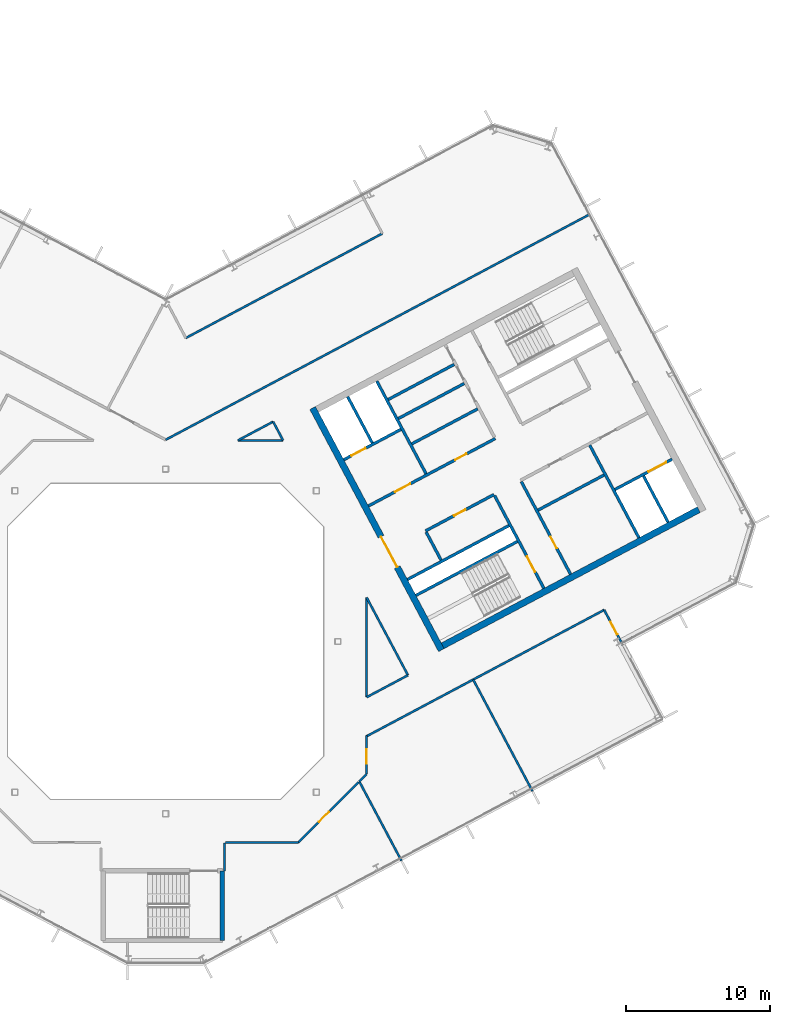
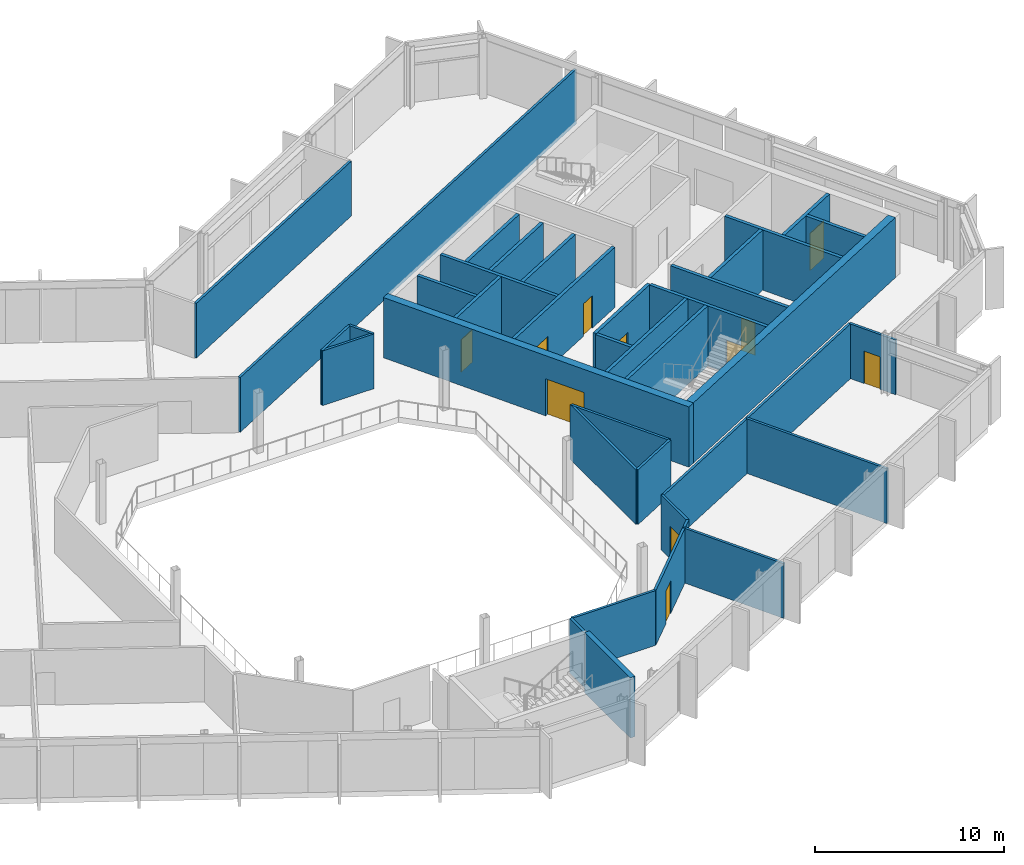
# One storey, part 16 of 26: 37 walls, 11 doors, 11 openings.
"""IFC4 building model written with IfcOpenShell, lengths in metres."""

from ifc_helpers import new_model, si_unit, direction, frame, frame_2d, origin, place, context, subcontext, project, spatial, rectangle, extrude, material, layer, layer_set, type_object, element, fill, save


model = new_model("IFC4")

# Units and contexts
model_context = context("Model", 3, precision=1e-05, world=origin(), true_north=direction((0.0, 1.0)))
body_context = subcontext(model_context, "Body", "Model", "MODEL_VIEW")
ifc_project = project(units=[si_unit("LENGTHUNIT", "METRE"), si_unit("AREAUNIT", "SQUARE_METRE"), si_unit("VOLUMEUNIT", "CUBIC_METRE"), si_unit("PLANEANGLEUNIT", "RADIAN"), si_unit("MASSUNIT", "GRAM", prefix="KILO")], contexts=[model_context])

# Site, building, storey
site_placement = place(None, origin())
site = spatial("IfcSite", under=ifc_project, at=site_placement, CompositionType="ELEMENT")
building_placement = place(site_placement, origin())
building = spatial("IfcBuilding", under=site, at=building_placement, Name="Cormorant Relay Tower", CompositionType="ELEMENT")
storey_placement = place(building_placement, frame((0.0, 0.0, 261.89990234375)))
storey = spatial("IfcBuildingStorey", under=building, at=storey_placement, Name="L58", CompositionType="ELEMENT", Elevation=261.89990234375)

# Walls
ifc_material_1 = material(Name="Concrete 40 MPa", Category="concrete")
ifc_layer_1 = layer(ifc_material_1, 0.199951171875)
ifc_layer_set_1 = layer_set([ifc_layer_1], Name="Core internal wall 200")
wall_type_1 = type_object("IfcWallType", Name="Core internal wall 200", PredefinedType="SOLIDWALL", material=ifc_layer_set_1)
for number, where, z_axis, x_axis, name in (
    (1, (16.2080078125, 15.526611328125, 0.0), (0.0, 0.0, 1.0), (0.882953967957, 0.469459572775, 0.0), "L58 core B shaft and room wall"),
    (2, (15.503662109375, 16.85107421875, 0.0), (0.0, 0.0, 1.0), (0.882953967957, 0.469459572775, 0.0), "L58 core B shaft and room wall"),
):
    element("IfcWall", number, at=place(storey_placement, frame(where, z_axis=z_axis, x_axis=x_axis)), inside=storey, type_object=wall_type_1, Name=name, PredefinedType="SOLIDWALL", context=body_context, shape_type="SweptSolid", body=[
        extrude(rectangle(XDim=5.199951171875, YDim=0.199951171875, at=frame_2d((2.60009765625, 0.0))), origin(), (0.0, 0.0, 1.0), 3.900146484375),
    ])
ifc_material_2 = material(Name="Concrete 50 MPa", Category="concrete")
ifc_layer_2 = layer(ifc_material_2, 0.199951171875)
ifc_layer_set_2 = layer_set([ifc_layer_2], Name="Core shaft wall 200")
wall_type_2 = type_object("IfcWallType", Name="Core shaft wall 200", PredefinedType="SHEAR", material=ifc_layer_set_2)
wall_1_placement = place(storey_placement, frame((14.39404296875, 13.825927734375, 0.0), z_axis=(0.0, 0.0, 1.0), x_axis=(-0.469494272526, 0.882935517501, 0.0)))
element("IfcWall", 3, at=wall_1_placement, inside=storey, type_object=wall_type_2, Name="L58 core B shaft wall", PredefinedType="SHEAR", context=body_context, shape_type="SweptSolid", body=[
    extrude(rectangle(XDim=3.64990234375, YDim=0.199951171875, at=frame_2d((1.824951171875, 0.0))), origin(), (0.0, 0.0, 1.0), 3.900146484375),
])
wall_2_placement = place(storey_placement, frame((19.18359375, 5.669921875, 0.0), z_axis=(0.0, 0.0, 1.0), x_axis=(-0.4694473164, 0.882960484464, 0.0)))
element("IfcWall", 4, at=wall_2_placement, inside=storey, type_object=wall_type_2, Name="L58 core B shaft wall", PredefinedType="SHEAR", context=body_context, shape_type="SweptSolid", body=[
    extrude(rectangle(XDim=2.199951171875, YDim=0.199951171875, at=frame_2d((1.10009765625, 0.0))), origin(), (0.0, 0.0, 1.0), 3.900146484375),
])
wall_3_placement = place(storey_placement, frame((18.138427734375, 11.682861328125, 0.0), z_axis=(0.0, 0.0, 1.0), x_axis=(-0.469480409012, 0.88294288918, 0.0)))
element("IfcWall", 5, at=wall_3_placement, inside=storey, type_object=wall_type_2, Name="L58 core B shaft wall", PredefinedType="SHEAR", context=body_context, shape_type="SweptSolid", body=[
    extrude(rectangle(XDim=7.300048828125, YDim=0.199951171875, at=frame_2d((3.64990234375, 0.0))), origin(), (0.0, 0.0, 1.0), 3.900146484375),
])

# Wall, opening, door
wall_4_placement = place(storey_placement, frame((26.345947265625, 3.701904296875, 0.0), z_axis=(0.0, 0.0, 1.0), x_axis=(-0.469480409012, 0.88294288918, 0.0)))
wall_4 = element("IfcWall", 6, at=wall_4_placement, inside=storey, type_object=wall_type_2, Name="L58 core B shaft wall", PredefinedType="SHEAR", context=body_context, shape_type="SweptSolid", body=[
    extrude(rectangle(XDim=7.300048828125, YDim=0.199951171875, at=frame_2d((3.64990234375, 0.0))), origin(), (0.0, 0.0, 1.0), 3.900146484375),
])
opening_1_placement = place(wall_4_placement, frame((1.300048828125, 0.0, 0.0)))
opening_1 = element("IfcOpeningElement", 7, at=opening_1_placement, cuts=wall_4, Name="Opening CDB-040", PredefinedType="OPENING", context=body_context, shape_type="SweptSolid", body=[
    extrude(rectangle(XDim=1.199951171875, YDim=2.10009765625, at=frame_2d((0.60009765625, 1.050048828125))), frame((0.0, 0.10986328125, 0.0), z_axis=(0.0, -1.0, 0.0), x_axis=(1.0, 0.0, 0.0)), (0.0, 0.0, 1.0), 0.219970703125),
])
ifc_material_3 = material(Name="Steel fire door", Category="steel")
door_type_1 = type_object("IfcDoorType", Name="Core stair door 1200x2100", OperationType="SINGLE_SWING_LEFT", PredefinedType="DOOR", material=ifc_material_3)
door_1_placement = place(opening_1_placement, origin())
door_1 = element("IfcDoor", 8, at=door_1_placement, inside=storey, type_object=door_type_1, Name="Core stair door 1200x2100", OperationType="SINGLE_SWING_RIGHT", OverallHeight=2.10009765625, OverallWidth=1.199951171875, PredefinedType="DOOR", context=body_context, shape_type="SweptSolid", body=[
    extrude(rectangle(XDim=1.199951171875, YDim=2.10009765625, at=frame_2d((0.60009765625, 1.050048828125))), frame((0.0, 0.02490234375, 0.0), z_axis=(0.0, -1.0, 0.0), x_axis=(1.0, 0.0, 0.0)), (0.0, 0.0, 1.0), 0.050048828125),
])
fill(opening_1, door_1)

wall_5_placement = place(storey_placement, frame((28.199951171875, 4.687744140625, 0.0), z_axis=(0.0, 0.0, 1.0), x_axis=(-0.469454336211, 0.882956752176, 0.0)))
wall_5 = element("IfcWall", 9, at=wall_5_placement, inside=storey, type_object=wall_type_2, Name="L58 core B shaft wall", PredefinedType="SHEAR", context=body_context, shape_type="SweptSolid", body=[
    extrude(rectangle(XDim=7.300048828125, YDim=0.199951171875, at=frame_2d((3.64990234375, 0.0))), origin(), (0.0, 0.0, 1.0), 3.900146484375),
])
opening_2_placement = place(wall_5_placement, frame((2.050048828125, 0.0, 0.0)))
opening_2 = element("IfcOpeningElement", 10, at=opening_2_placement, cuts=wall_5, Name="Opening CDD-317", PredefinedType="OPENING", context=body_context, shape_type="SweptSolid", body=[
    extrude(rectangle(XDim=0.89990234375, YDim=2.10009765625, at=frame_2d((0.449951171875, 1.050048828125))), frame((0.0, 0.10986328125, 0.0), z_axis=(0.0, -1.0, 0.0), x_axis=(1.0, 0.0, 0.0)), (0.0, 0.0, 1.0), 0.219970703125),
])
ifc_material_4 = material(Name="Steel fire door", Category="steel")
door_type_2 = type_object("IfcDoorType", Name="Core room door 900x2100", OperationType="SINGLE_SWING_LEFT", PredefinedType="DOOR", material=ifc_material_4)
door_2_placement = place(opening_2_placement, frame((0.89990234375, 0.0, 0.0), z_axis=(0.0, 0.0, 1.0), x_axis=(-1.0, 0.0, 0.0)))
door_2 = element("IfcDoor", 11, at=door_2_placement, inside=storey, type_object=door_type_2, Name="Core room door 900x2100", OperationType="SINGLE_SWING_LEFT", OverallHeight=2.10009765625, OverallWidth=0.89990234375, PredefinedType="DOOR", context=body_context, shape_type="SweptSolid", body=[
    extrude(rectangle(XDim=0.89990234375, YDim=2.10009765625, at=frame_2d((0.449951171875, 1.050048828125))), frame((0.0, 0.02490234375, 0.0), z_axis=(0.0, -1.0, 0.0), x_axis=(1.0, 0.0, 0.0)), (0.0, 0.0, 1.0), 0.050048828125),
])
fill(opening_2, door_2)

# Walls
wall_6_placement = place(storey_placement, frame((32.968017578125, 7.222900390625, 0.0), z_axis=(0.0, 0.0, 1.0), x_axis=(-0.469480409012, 0.88294288918, 0.0)))
element("IfcWall", 12, at=wall_6_placement, inside=storey, type_object=wall_type_2, Name="L58 core B shaft wall", PredefinedType="SHEAR", context=body_context, shape_type="SweptSolid", body=[
    extrude(rectangle(XDim=7.300048828125, YDim=0.199951171875, at=frame_2d((3.64990234375, 0.0))), origin(), (0.0, 0.0, 1.0), 3.900146484375),
])
wall_7_placement = place(storey_placement, frame((34.998779296875, 8.302734375, 0.0), z_axis=(0.0, 0.0, 1.0), x_axis=(-0.4694665462, 0.882950260207, 0.0)))
element("IfcWall", 13, at=wall_7_placement, inside=storey, type_object=wall_type_2, Name="L58 core B shaft wall", PredefinedType="SHEAR", context=body_context, shape_type="SweptSolid", body=[
    extrude(rectangle(XDim=3.650146484375, YDim=0.199951171875, at=frame_2d((1.8251953125, 0.0))), origin(), (0.0, 0.0, 1.0), 3.900146484375),
])
wall_8_placement = place(storey_placement, frame((17.43359375, 3.210205078125, 0.0), z_axis=(0.0, 0.0, 1.0), x_axis=(0.882940221191, 0.469485426614, 0.0)))
element("IfcWall", 14, at=wall_8_placement, inside=storey, type_object=wall_type_2, Name="L58 core B shaft wall", PredefinedType="SHEAR", context=body_context, shape_type="SweptSolid", body=[
    extrude(rectangle(XDim=8.0, YDim=0.199951171875, at=frame_2d((4.0, 0.0))), origin(), (0.0, 0.0, 1.0), 3.900146484375),
])

# Wall, opening, door
wall_9_placement = place(storey_placement, frame((31.295654296875, 10.5810546875, 0.0), z_axis=(0.0, 0.0, 1.0), x_axis=(0.882960433586, 0.469447412093, 0.0)))
wall_9 = element("IfcWall", 15, at=wall_9_placement, inside=storey, type_object=wall_type_2, Name="L58 core B shaft wall", PredefinedType="SHEAR", context=body_context, shape_type="SweptSolid", body=[
    extrude(rectangle(XDim=4.5, YDim=0.199951171875, at=frame_2d((2.25, 0.0))), origin(), (0.0, 0.0, 1.0), 3.900146484375),
])
opening_3_placement = place(wall_9_placement, frame((2.64990234375, 0.0, 0.0)))
opening_3 = element("IfcOpeningElement", 16, at=opening_3_placement, cuts=wall_9, Name="Opening LD3-016", PredefinedType="OPENING", context=body_context, shape_type="SweptSolid", body=[
    extrude(rectangle(XDim=1.39990234375, YDim=2.39990234375, at=frame_2d((0.699951171875, 1.199951171875))), frame((0.0, 0.10986328125, 0.0), z_axis=(0.0, -1.0, 0.0), x_axis=(1.0, 0.0, 0.0)), (0.0, 0.0, 1.0), 0.219970703125),
])
ifc_material_5 = material(Name="Stainless steel 316", Category="steel")
door_type_3 = type_object("IfcDoorType", Name="Lift landing door 1400x2400", OperationType="DOUBLE_DOOR_SLIDING", PredefinedType="DOOR", material=ifc_material_5)
door_3_placement = place(opening_3_placement, origin())
door_3 = element("IfcDoor", 17, at=door_3_placement, inside=storey, type_object=door_type_3, Name="SV2 landing door", OperationType="DOUBLE_DOOR_SLIDING", OverallHeight=2.39990234375, OverallWidth=1.39990234375, PredefinedType="DOOR", context=body_context, shape_type="SweptSolid", body=[
    extrude(rectangle(XDim=1.39990234375, YDim=2.39990234375, at=frame_2d((0.699951171875, 1.199951171875))), frame((0.0, 0.02490234375, 0.0), z_axis=(0.0, -1.0, 0.0), x_axis=(1.0, 0.0, 0.0)), (0.0, 0.0, 1.0), 0.050048828125),
])
fill(opening_3, door_3)

# Walls
wall_10_placement = place(storey_placement, frame((16.8466796875, 4.31396484375, 0.0), z_axis=(0.0, 0.0, 1.0), x_axis=(0.882940221191, 0.469485426614, 0.0)))
element("IfcWall", 18, at=wall_10_placement, inside=storey, type_object=wall_type_2, Name="L58 core B shaft wall", PredefinedType="SHEAR", context=body_context, shape_type="SweptSolid", body=[
    extrude(rectangle(XDim=8.0, YDim=0.199951171875, at=frame_2d((4.0, 0.0))), origin(), (0.0, 0.0, 1.0), 3.900146484375),
])
wall_11_placement = place(storey_placement, frame((25.94091796875, 9.149658203125, 0.0), z_axis=(0.0, 0.0, 1.0), x_axis=(0.882953967957, 0.469459572775, 0.0)))
element("IfcWall", 19, at=wall_11_placement, inside=storey, type_object=wall_type_2, Name="L58 core B shaft wall", PredefinedType="SHEAR", context=body_context, shape_type="SweptSolid", body=[
    extrude(rectangle(XDim=5.199951171875, YDim=0.199951171875, at=frame_2d((2.60009765625, 0.0))), origin(), (0.0, 0.0, 1.0), 3.900146484375),
])

# Wall, opening, door
wall_12_placement = place(storey_placement, frame((18.103759765625, 7.70068359375, 0.0), z_axis=(0.0, 0.0, 1.0), x_axis=(0.882952937579, 0.469461510692, 0.0)))
wall_12 = element("IfcWall", 20, at=wall_12_placement, inside=storey, type_object=wall_type_2, Name="L58 core B shaft wall", PredefinedType="SHEAR", context=body_context, shape_type="SweptSolid", body=[
    extrude(rectangle(XDim=5.400146484375, YDim=0.199951171875, at=frame_2d((2.7001953125, 0.0))), origin(), (0.0, 0.0, 1.0), 3.900146484375),
])
opening_4_placement = place(wall_12_placement, frame((2.25, 0.0, 0.0)))
opening_4 = element("IfcOpeningElement", 21, at=opening_4_placement, cuts=wall_12, Name="Opening CDD-262", PredefinedType="OPENING", context=body_context, shape_type="SweptSolid", body=[
    extrude(rectangle(XDim=0.89990234375, YDim=2.10009765625, at=frame_2d((0.449951171875, 1.050048828125))), frame((0.0, 0.10986328125, 0.0), z_axis=(0.0, -1.0, 0.0), x_axis=(1.0, 0.0, 0.0)), (0.0, 0.0, 1.0), 0.219970703125),
])
door_4_placement = place(opening_4_placement, frame((0.89990234375, 0.0, 0.0), z_axis=(0.0, 0.0, 1.0), x_axis=(-1.0, 0.0, 0.0)))
door_4 = element("IfcDoor", 22, at=door_4_placement, inside=storey, type_object=door_type_2, Name="Core room door 900x2100", OperationType="SINGLE_SWING_RIGHT", OverallHeight=2.10009765625, OverallWidth=0.89990234375, PredefinedType="DOOR", context=body_context, shape_type="SweptSolid", body=[
    extrude(rectangle(XDim=0.89990234375, YDim=2.10009765625, at=frame_2d((0.449951171875, 1.050048828125))), frame((0.0, 0.02490234375, 0.0), z_axis=(0.0, -1.0, 0.0), x_axis=(1.0, 0.0, 0.0)), (0.0, 0.0, 1.0), 0.050048828125),
])
fill(opening_4, door_4)

# Wall, openings, doors
wall_13_placement = place(storey_placement, frame((14.123779296875, 9.43505859375, 0.0), z_axis=(0.0, 0.0, 1.0), x_axis=(0.882940221191, 0.469485426614, 0.0)))
wall_13 = element("IfcWall", 23, at=wall_13_placement, inside=storey, type_object=wall_type_2, Name="L58 core B shaft wall", PredefinedType="SHEAR", context=body_context, shape_type="SweptSolid", body=[
    extrude(rectangle(XDim=10.0, YDim=0.199951171875, at=frame_2d((5.0, 0.0))), origin(), (0.0, 0.0, 1.0), 3.900146484375),
])
opening_5_placement = place(wall_13_placement, frame((2.10009765625, 0.0, 0.0)))
opening_5 = element("IfcOpeningElement", 24, at=opening_5_placement, cuts=wall_13, Name="Opening CDC-037", PredefinedType="OPENING", context=body_context, shape_type="SweptSolid", body=[
    extrude(rectangle(XDim=1.199951171875, YDim=2.10009765625, at=frame_2d((0.60009765625, 1.050048828125))), frame((0.0, 0.10986328125, 0.0), z_axis=(0.0, -1.0, 0.0), x_axis=(1.0, 0.0, 0.0)), (0.0, 0.0, 1.0), 0.219970703125),
])
opening_6_placement = place(wall_13_placement, frame((6.85009765625, 0.0, 0.0)))
opening_6 = element("IfcOpeningElement", 25, at=opening_6_placement, cuts=wall_13, Name="Opening CDD-260", PredefinedType="OPENING", context=body_context, shape_type="SweptSolid", body=[
    extrude(rectangle(XDim=0.89990234375, YDim=2.10009765625, at=frame_2d((0.449951171875, 1.050048828125))), frame((0.0, 0.10986328125, 0.0), z_axis=(0.0, -1.0, 0.0), x_axis=(1.0, 0.0, 0.0)), (0.0, 0.0, 1.0), 0.219970703125),
])
ifc_material_6 = material(Name="Steel fire door", Category="steel")
door_type_4 = type_object("IfcDoorType", Name="Core lobby door 1200x2100", OperationType="SINGLE_SWING_LEFT", PredefinedType="DOOR", material=ifc_material_6)
door_5_placement = place(opening_5_placement, origin())
door_5 = element("IfcDoor", 26, at=door_5_placement, inside=storey, type_object=door_type_4, Name="Core lobby door 1200x2100", OperationType="SINGLE_SWING_RIGHT", OverallHeight=2.10009765625, OverallWidth=1.199951171875, PredefinedType="DOOR", context=body_context, shape_type="SweptSolid", body=[
    extrude(rectangle(XDim=1.199951171875, YDim=2.10009765625, at=frame_2d((0.60009765625, 1.050048828125))), frame((0.0, 0.02490234375, 0.0), z_axis=(0.0, -1.0, 0.0), x_axis=(1.0, 0.0, 0.0)), (0.0, 0.0, 1.0), 0.050048828125),
])
fill(opening_5, door_5)
door_6_placement = place(opening_6_placement, origin())
door_6 = element("IfcDoor", 27, at=door_6_placement, inside=storey, type_object=door_type_2, Name="Core room door 900x2100", OperationType="SINGLE_SWING_LEFT", OverallHeight=2.10009765625, OverallWidth=0.89990234375, PredefinedType="DOOR", context=body_context, shape_type="SweptSolid", body=[
    extrude(rectangle(XDim=0.89990234375, YDim=2.10009765625, at=frame_2d((0.449951171875, 1.050048828125))), frame((0.0, 0.02490234375, 0.0), z_axis=(0.0, -1.0, 0.0), x_axis=(1.0, 0.0, 0.0)), (0.0, 0.0, 1.0), 0.050048828125),
])
fill(opening_6, door_6)

# Wall
wall_14_placement = place(storey_placement, frame((17.146728515625, 13.7607421875, 0.0), z_axis=(0.0, 0.0, 1.0), x_axis=(0.882964314875, 0.469440111896, 0.0)))
element("IfcWall", 28, at=wall_14_placement, inside=storey, type_object=wall_type_2, Name="L58 core B shaft wall", PredefinedType="SHEAR", context=body_context, shape_type="SweptSolid", body=[
    extrude(rectangle(XDim=5.2001953125, YDim=0.199951171875, at=frame_2d((2.60009765625, 0.0))), origin(), (0.0, 0.0, 1.0), 3.900146484375),
])

# Wall, opening, door
wall_15_placement = place(storey_placement, frame((12.41015625, 12.657958984375, 0.0), z_axis=(0.0, 0.0, 1.0), x_axis=(0.8829484765, 0.469469900894, 0.0)))
wall_15 = element("IfcWall", 29, at=wall_15_placement, inside=storey, type_object=wall_type_2, Name="L58 core B shaft wall", PredefinedType="SHEAR", context=body_context, shape_type="SweptSolid", body=[
    extrude(rectangle(XDim=4.499755859375, YDim=0.199951171875, at=frame_2d((2.25, 0.0))), origin(), (0.0, 0.0, 1.0), 3.900146484375),
])
opening_7_placement = place(wall_15_placement, frame((0.60009765625, 0.0, 0.0)))
opening_7 = element("IfcOpeningElement", 30, at=opening_7_placement, cuts=wall_15, Name="Opening LD1-064", PredefinedType="OPENING", context=body_context, shape_type="SweptSolid", body=[
    extrude(rectangle(XDim=1.10009765625, YDim=2.10009765625, at=frame_2d((0.550048828125, 1.050048828125))), frame((0.0, 0.10986328125, 0.0), z_axis=(0.0, -1.0, 0.0), x_axis=(1.0, 0.0, 0.0)), (0.0, 0.0, 1.0), 0.219970703125),
])
ifc_material_7 = material(Name="Stainless steel 316", Category="steel")
door_type_5 = type_object("IfcDoorType", Name="Lift landing door 1100x2100", OperationType="DOUBLE_DOOR_SLIDING", PredefinedType="DOOR", material=ifc_material_7)
door_7_placement = place(opening_7_placement, origin())
door_7 = element("IfcDoor", 31, at=door_7_placement, inside=storey, type_object=door_type_5, Name="FF2 landing door", OperationType="DOUBLE_DOOR_SLIDING", OverallHeight=2.10009765625, OverallWidth=1.10009765625, PredefinedType="DOOR", context=body_context, shape_type="SweptSolid", body=[
    extrude(rectangle(XDim=1.10009765625, YDim=2.10009765625, at=frame_2d((0.550048828125, 1.050048828125))), frame((0.0, 0.02490234375, 0.0), z_axis=(0.0, -1.0, 0.0), x_axis=(1.0, 0.0, 0.0)), (0.0, 0.0, 1.0), 0.050048828125),
])
fill(opening_7, door_7)

ifc_material_8 = material(Name="Concrete 50 MPa", Category="concrete")
ifc_layer_3 = layer(ifc_material_8, 0.449951171875)
ifc_layer_set_3 = layer_set([ifc_layer_3], Name="Core wall 450")
wall_type_3 = type_object("IfcWallType", Name="Core wall 450", PredefinedType="SHEAR", material=ifc_layer_set_3)
wall_16_placement = place(storey_placement, frame((19.20654296875, -0.603759765625, 0.0), z_axis=(0.0, 0.0, 1.0), x_axis=(-0.469467968382, 0.882949504028, 0.0)))
wall_16 = element("IfcWall", 32, at=wall_16_placement, inside=storey, type_object=wall_type_3, Name="L58 core B wall", PredefinedType="SHEAR", context=body_context, shape_type="SweptSolid", body=[
    extrude(rectangle(XDim=19.099853515625, YDim=0.449951171875, at=frame_2d((9.5498046875, 0.0))), origin(), (0.0, 0.0, 1.0), 3.900146484375),
])
opening_8_placement = place(wall_16_placement, frame((6.550048828125, 0.0, 0.0)))
opening_8 = element("IfcOpeningElement", 33, at=opening_8_placement, cuts=wall_16, Name="Opening CDA-055", PredefinedType="OPENING", context=body_context, shape_type="SweptSolid", body=[
    extrude(rectangle(XDim=2.39990234375, YDim=2.39990234375, at=frame_2d((1.199951171875, 1.199951171875))), frame((0.0, 0.23486328125, 0.0), z_axis=(0.0, -1.0, 0.0), x_axis=(1.0, 0.0, 0.0)), (0.0, 0.0, 1.0), 0.469970703125),
])
ifc_material_9 = material(Name="Steel fire door", Category="steel")
door_type_6 = type_object("IfcDoorType", Name="Core lobby door 2400x2400", OperationType="DOUBLE_DOOR_SINGLE_SWING", PredefinedType="DOOR", material=ifc_material_9)
door_8_placement = place(opening_8_placement, origin())
door_8 = element("IfcDoor", 34, at=door_8_placement, inside=storey, type_object=door_type_6, Name="Core lobby door 2400x2400", OperationType="DOUBLE_DOOR_SINGLE_SWING", OverallHeight=2.39990234375, OverallWidth=2.39990234375, PredefinedType="DOOR", context=body_context, shape_type="SweptSolid", body=[
    extrude(rectangle(XDim=2.39990234375, YDim=2.39990234375, at=frame_2d((1.199951171875, 1.199951171875))), frame((0.0, 0.02490234375, 0.0), z_axis=(0.0, -1.0, 0.0), x_axis=(1.0, 0.0, 0.0)), (0.0, 0.0, 1.0), 0.050048828125),
])
fill(opening_8, door_8)

# Walls
wall_17_placement = place(storey_placement, frame((19.299560546875, -0.29931640625, 0.0), z_axis=(0.0, 0.0, 1.0), x_axis=(0.88295276571, 0.46946183394, 0.0)))
element("IfcWall", 35, at=wall_17_placement, inside=storey, type_object=wall_type_3, Name="L58 core B wall", PredefinedType="SHEAR", context=body_context, shape_type="SweptSolid", body=[
    extrude(rectangle(XDim=20.199951171875, YDim=0.449951171875, at=frame_2d((10.10009765625, 0.0))), origin(), (0.0, 0.0, 1.0), 3.900146484375),
])
ifc_material_10 = material(Name="Gypsum board fire partition")
ifc_layer_4 = layer(ifc_material_10, 0.14990234375)
ifc_layer_set_4 = layer_set([ifc_layer_4], Name="Corridor partition 150 EI 60")
wall_type_4 = type_object("IfcWallType", Name="Corridor partition 150 EI 60", PredefinedType="PARTITIONING", material=ifc_layer_set_4)
wall_18_placement = place(storey_placement, frame((0.0, 14.0439453125, 0.0), z_axis=(0.0, 0.0, 1.0), x_axis=(0.882952097871, 0.469463089992, 0.0)))
element("IfcWall", 36, at=wall_18_placement, inside=storey, type_object=wall_type_4, Name="wall/L58/part/009", PredefinedType="PARTITIONING", context=body_context, shape_type="SweptSolid", body=[
    extrude(rectangle(XDim=33.606689453125, YDim=0.14990234375, at=frame_2d((16.80322265625, 0.0))), origin(), (0.0, 0.0, 1.0), 3.5400390625),
])
wall_19_placement = place(storey_placement, frame((4.10009765625, -15.97509765625, 0.0), z_axis=(0.0, 0.0, 1.0), x_axis=(0.0, 1.0, 0.0)))
element("IfcWall", 37, at=wall_19_placement, inside=storey, type_object=wall_type_4, Name="wall/L58/part/032", PredefinedType="PARTITIONING", context=body_context, shape_type="SweptSolid", body=[
    extrude(rectangle(XDim=1.95703125, YDim=0.14990234375, at=frame_2d((0.978515625, 0.0))), origin(), (0.0, 0.0, 1.0), 3.5400390625),
])

# Wall, opening, door
wall_20_placement = place(storey_placement, frame((13.428955078125, -9.81396484375, 0.0), z_axis=(0.0, 0.0, 1.0), x_axis=(-0.707106781187, -0.707106781187, 0.0)))
wall_20 = element("IfcWall", 38, at=wall_20_placement, inside=storey, type_object=wall_type_4, Name="wall/L58/part/033", PredefinedType="PARTITIONING", context=body_context, shape_type="SweptSolid", body=[
    extrude(rectangle(XDim=5.919921875, YDim=0.14990234375, at=frame_2d((2.9599609375, 0.0))), origin(), (0.0, 0.0, 1.0), 3.5400390625),
])
opening_9_placement = place(wall_20_placement, frame((2.89990234375, 0.0, 0.0)))
opening_9 = element("IfcOpeningElement", 39, at=opening_9_placement, cuts=wall_20, Name="Opening DS-202", PredefinedType="OPENING", context=body_context, shape_type="SweptSolid", body=[
    extrude(rectangle(XDim=1.0, YDim=2.10009765625, at=frame_2d((0.5, 1.050048828125))), frame((0.0, 0.0849609375, 0.0), z_axis=(0.0, -1.0, 0.0), x_axis=(1.0, 0.0, 0.0)), (0.0, 0.0, 1.0), 0.169921875),
])
ifc_material_11 = material(Name="Timber door leaf", Category="wood")
door_type_7 = type_object("IfcDoorType", Name="Suite door 1000x2100", OperationType="SINGLE_SWING_LEFT", PredefinedType="DOOR", material=ifc_material_11)
door_9_placement = place(opening_9_placement, origin())
door_9 = element("IfcDoor", 40, at=door_9_placement, inside=storey, type_object=door_type_7, Name="door/L58/005", OperationType="SINGLE_SWING_LEFT", OverallHeight=2.10009765625, OverallWidth=1.0, PredefinedType="DOOR", context=body_context, shape_type="SweptSolid", body=[
    extrude(rectangle(XDim=1.0, YDim=2.10009765625, at=frame_2d((0.5, 1.050048828125))), frame((0.0, 0.02490234375, 0.0), z_axis=(0.0, -1.0, 0.0), x_axis=(1.0, 0.0, 0.0)), (0.0, 0.0, 1.0), 0.050048828125),
])
fill(opening_9, door_9)

# Wall
wall_21_placement = place(storey_placement, frame((9.242919921875, -14.0, 0.0), z_axis=(0.0, 0.0, 1.0), x_axis=(-1.0, 0.0, 0.0)))
element("IfcWall", 41, at=wall_21_placement, inside=storey, type_object=wall_type_4, Name="wall/L58/part/034", PredefinedType="PARTITIONING", context=body_context, shape_type="SweptSolid", body=[
    extrude(rectangle(XDim=5.06787109375, YDim=0.14990234375, at=frame_2d((2.533935546875, 0.0))), origin(), (0.0, 0.0, 1.0), 3.5400390625),
])

# Wall, opening, door
wall_22_placement = place(storey_placement, frame((14.0, -6.550048828125, 0.0), z_axis=(0.0, 0.0, 1.0), x_axis=(0.0, -1.0, 0.0)))
wall_22 = element("IfcWall", 42, at=wall_22_placement, inside=storey, type_object=wall_type_4, Name="wall/L58/part/036", PredefinedType="PARTITIONING", context=body_context, shape_type="SweptSolid", body=[
    extrude(rectangle(XDim=2.69287109375, YDim=0.14990234375, at=frame_2d((1.346435546875, 0.0))), origin(), (0.0, 0.0, 1.0), 3.5400390625),
])
opening_10_placement = place(wall_22_placement, frame((0.951904296875, 0.0, 0.0)))
opening_10 = element("IfcOpeningElement", 43, at=opening_10_placement, cuts=wall_22, Name="Opening DS-203", PredefinedType="OPENING", context=body_context, shape_type="SweptSolid", body=[
    extrude(rectangle(XDim=1.0, YDim=2.10009765625, at=frame_2d((0.5, 1.050048828125))), frame((0.0, 0.0849609375, 0.0), z_axis=(0.0, -1.0, 0.0), x_axis=(1.0, 0.0, 0.0)), (0.0, 0.0, 1.0), 0.169921875),
])
door_10_placement = place(opening_10_placement, origin())
door_10 = element("IfcDoor", 44, at=door_10_placement, inside=storey, type_object=door_type_7, Name="door/L58/006", OperationType="SINGLE_SWING_LEFT", OverallHeight=2.10009765625, OverallWidth=1.0, PredefinedType="DOOR", context=body_context, shape_type="SweptSolid", body=[
    extrude(rectangle(XDim=1.0, YDim=2.10009765625, at=frame_2d((0.5, 1.050048828125))), frame((0.0, 0.02490234375, 0.0), z_axis=(0.0, -1.0, 0.0), x_axis=(1.0, 0.0, 0.0)), (0.0, 0.0, 1.0), 0.050048828125),
])
fill(opening_10, door_10)

# Wall
wall_23_placement = place(storey_placement, frame((13.4951171875, -9.748046875, 0.0), z_axis=(0.0, 0.0, 1.0), x_axis=(0.706252478894, 0.707960052585, 0.0)))
element("IfcWall", 45, at=wall_23_placement, inside=storey, type_object=wall_type_4, Name="wall/L58/part/037", PredefinedType="PARTITIONING", context=body_context, shape_type="SweptSolid", body=[
    extrude(rectangle(XDim=0.71484375, YDim=0.14990234375, at=frame_2d((0.357421875, 0.0))), origin(), (0.0, 0.0, 1.0), 3.5400390625),
])

# Wall, opening, door
wall_24_placement = place(storey_placement, frame((31.89697265625, -0.346923828125, 0.0), z_axis=(0.0, 0.0, 1.0), x_axis=(-0.469576437406, 0.882891822045, 0.0)))
wall_24 = element("IfcWall", 46, at=wall_24_placement, inside=storey, type_object=wall_type_4, Name="wall/L58/part/039", PredefinedType="PARTITIONING", context=body_context, shape_type="SweptSolid", body=[
    extrude(rectangle(XDim=2.88134765625, YDim=0.14990234375, at=frame_2d((1.440673828125, 0.0))), origin(), (0.0, 0.0, 1.0), 3.5400390625),
])
opening_11_placement = place(wall_24_placement, frame((0.949951171875, 0.0, 0.0)))
opening_11 = element("IfcOpeningElement", 47, at=opening_11_placement, cuts=wall_24, Name="Opening DS-204", PredefinedType="OPENING", context=body_context, shape_type="SweptSolid", body=[
    extrude(rectangle(XDim=1.0, YDim=2.10009765625, at=frame_2d((0.5, 1.050048828125))), frame((0.0, 0.0849609375, 0.0), z_axis=(0.0, -1.0, 0.0), x_axis=(1.0, 0.0, 0.0)), (0.0, 0.0, 1.0), 0.169921875),
])
door_11_placement = place(opening_11_placement, origin())
door_11 = element("IfcDoor", 48, at=door_11_placement, inside=storey, type_object=door_type_7, Name="door/L58/007", OperationType="SINGLE_SWING_LEFT", OverallHeight=2.10009765625, OverallWidth=1.0, PredefinedType="DOOR", context=body_context, shape_type="SweptSolid", body=[
    extrude(rectangle(XDim=1.0, YDim=2.10009765625, at=frame_2d((0.5, 1.050048828125))), frame((0.0, 0.02490234375, 0.0), z_axis=(0.0, -1.0, 0.0), x_axis=(1.0, 0.0, 0.0)), (0.0, 0.0, 1.0), 0.050048828125),
])
fill(opening_11, door_11)

# Walls
wall_25_placement = place(storey_placement, frame((30.5439453125, 2.197021484375, 0.0), z_axis=(0.0, 0.0, 1.0), x_axis=(-0.88293548313, -0.469494337165, 0.0)))
element("IfcWall", 49, at=wall_25_placement, inside=storey, type_object=wall_type_4, Name="wall/L58/part/040", PredefinedType="PARTITIONING", context=body_context, shape_type="SweptSolid", body=[
    extrude(rectangle(XDim=18.737548828125, YDim=0.14990234375, at=frame_2d((9.36865234375, 0.0))), origin(), (0.0, 0.0, 1.0), 3.5400390625),
])
wall_26_placement = place(storey_placement, frame((7.489990234375, 15.30810546875, 0.0), z_axis=(0.0, 0.0, 1.0), x_axis=(-0.882929584463, -0.469505430086, 0.0)))
element("IfcWall", 50, at=wall_26_placement, inside=storey, type_object=wall_type_4, Name="wall/L58/part/050", PredefinedType="PARTITIONING", context=body_context, shape_type="SweptSolid", body=[
    extrude(rectangle(XDim=2.7861328125, YDim=0.14990234375, at=frame_2d((1.39306640625, 0.0))), origin(), (0.0, 0.0, 1.0), 3.5400390625),
])
wall_27_placement = place(storey_placement, frame((5.030029296875, 14.0, 0.0), z_axis=(0.0, 0.0, 1.0), x_axis=(1.0, 0.0, 0.0)))
element("IfcWall", 51, at=wall_27_placement, inside=storey, type_object=wall_type_4, Name="wall/L58/part/051", PredefinedType="PARTITIONING", context=body_context, shape_type="SweptSolid", body=[
    extrude(rectangle(XDim=3.156005859375, YDim=0.14990234375, at=frame_2d((1.578125, 0.0))), origin(), (0.0, 0.0, 1.0), 3.5400390625),
])
wall_28_placement = place(storey_placement, frame((8.18603515625, 14.0, 0.0), z_axis=(0.0, 0.0, 1.0), x_axis=(-0.469741395349, 0.882804067444, 0.0)))
element("IfcWall", 52, at=wall_28_placement, inside=storey, type_object=wall_type_4, Name="wall/L58/part/052", PredefinedType="PARTITIONING", context=body_context, shape_type="SweptSolid", body=[
    extrude(rectangle(XDim=1.481689453125, YDim=0.14990234375, at=frame_2d((0.74072265625, 0.0))), origin(), (0.0, 0.0, 1.0), 3.5400390625),
])
wall_29_placement = place(storey_placement, frame((14.0, -3.882080078125, 0.0), z_axis=(0.0, 0.0, 1.0), x_axis=(0.882913997068, 0.469534741826, 0.0)))
element("IfcWall", 53, at=wall_29_placement, inside=storey, type_object=wall_type_4, Name="wall/L58/part/053", PredefinedType="PARTITIONING", context=body_context, shape_type="SweptSolid", body=[
    extrude(rectangle(XDim=3.2607421875, YDim=0.14990234375, at=frame_2d((1.63037109375, 0.0))), origin(), (0.0, 0.0, 1.0), 3.5400390625),
])
wall_30_placement = place(storey_placement, frame((16.87890625, -2.35107421875, 0.0), z_axis=(0.0, 0.0, 1.0), x_axis=(-0.469364750374, 0.883004377739, 0.0)))
element("IfcWall", 54, at=wall_30_placement, inside=storey, type_object=wall_type_4, Name="wall/L58/part/054", PredefinedType="PARTITIONING", context=body_context, shape_type="SweptSolid", body=[
    extrude(rectangle(XDim=6.133544921875, YDim=0.14990234375, at=frame_2d((3.06689453125, 0.0))), origin(), (0.0, 0.0, 1.0), 3.5400390625),
])
wall_31_placement = place(storey_placement, frame((14.0, 3.06494140625, 0.0), z_axis=(0.0, 0.0, 1.0), x_axis=(0.0, -1.0, 0.0)))
element("IfcWall", 55, at=wall_31_placement, inside=storey, type_object=wall_type_4, Name="wall/L58/part/055", PredefinedType="PARTITIONING", context=body_context, shape_type="SweptSolid", body=[
    extrude(rectangle(XDim=6.947021484375, YDim=0.14990234375, at=frame_2d((3.4736328125, 0.0))), origin(), (0.0, 0.0, 1.0), 3.5400390625),
])
ifc_material_12 = material(Name="Concrete 50 MPa", Category="concrete")
ifc_layer_5 = layer(ifc_material_12, 0.300048828125)
ifc_layer_set_5 = layer_set([ifc_layer_5], Name="Remote stair wall 300")
wall_type_5 = type_object("IfcWallType", Name="Remote stair wall 300", PredefinedType="SHEAR", material=ifc_layer_set_5)
wall_32_placement = place(storey_placement, frame((3.949951171875, -15.97509765625, 0.0), z_axis=(0.0, 0.0, 1.0), x_axis=(0.0, -1.0, 0.0)))
element("IfcWall", 56, at=wall_32_placement, inside=storey, type_object=wall_type_5, Name="L58 exit stair RK1 wall", PredefinedType="SHEAR", context=body_context, shape_type="SweptSolid", body=[
    extrude(rectangle(XDim=4.849853515625, YDim=0.300048828125, at=frame_2d((2.4248046875, 0.0))), origin(), (0.0, 0.0, 1.0), 3.900146484375),
])
ifc_material_13 = material(Name="Gypsum board partition")
ifc_layer_6 = layer(ifc_material_13, 0.14990234375)
ifc_layer_set_6 = layer_set([ifc_layer_6], Name="Tenant partition 150")
wall_type_6 = type_object("IfcWallType", Name="Tenant partition 150", PredefinedType="PARTITIONING", material=ifc_layer_set_6)
wall_33_placement = place(storey_placement, frame((1.408935546875, 21.135986328125, 0.0), z_axis=(0.0, 0.0, 1.0), x_axis=(0.882956998251, 0.469453873388, 0.0)))
element("IfcWall", 57, at=wall_33_placement, inside=storey, type_object=wall_type_6, Name="wall/L58/part/030", PredefinedType="PARTITIONING", context=body_context, shape_type="SweptSolid", body=[
    extrude(rectangle(XDim=15.4990234375, YDim=0.14990234375, at=frame_2d((7.74951171875, 0.0))), origin(), (0.0, 0.0, 1.0), 3.5400390625),
])
wall_34_placement = place(storey_placement, frame((13.490966796875, -9.751953125, 0.0), z_axis=(0.0, 0.0, 1.0), x_axis=(0.469644039597, -0.882855863701, 0.0)))
element("IfcWall", 58, at=wall_34_placement, inside=storey, type_object=wall_type_6, Name="wall/L58/part/035", PredefinedType="PARTITIONING", context=body_context, shape_type="SweptSolid", body=[
    extrude(rectangle(XDim=6.255859375, YDim=0.14990234375, at=frame_2d((3.1279296875, 0.0))), origin(), (0.0, 0.0, 1.0), 3.5400390625),
])
wall_35_placement = place(storey_placement, frame((21.4208984375, -2.654052734375, 0.0), z_axis=(0.0, 0.0, 1.0), x_axis=(0.469445946219, -0.882961212952, 0.0)))
element("IfcWall", 59, at=wall_35_placement, inside=storey, type_object=wall_type_6, Name="wall/L58/part/038", PredefinedType="PARTITIONING", context=body_context, shape_type="SweptSolid", body=[
    extrude(rectangle(XDim=8.800048828125, YDim=0.14990234375, at=frame_2d((4.39990234375, 0.0))), origin(), (0.0, 0.0, 1.0), 3.5400390625),
])

save(model, "model.ifc")
